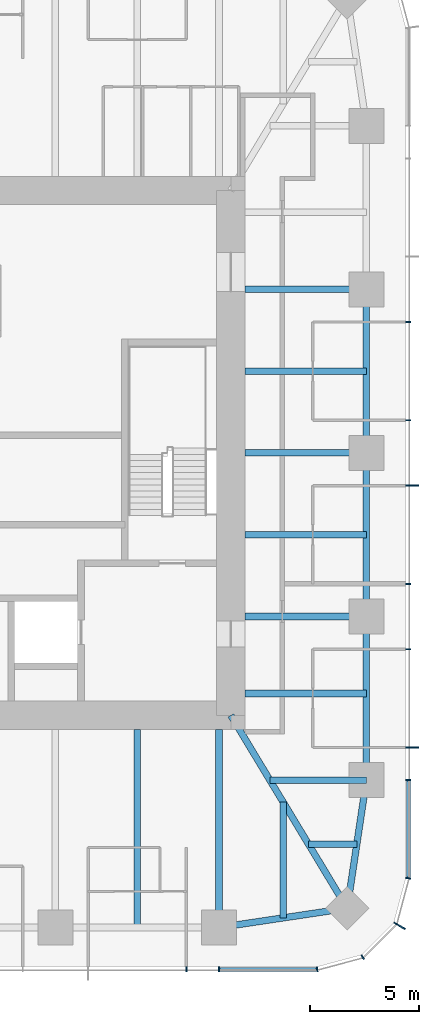
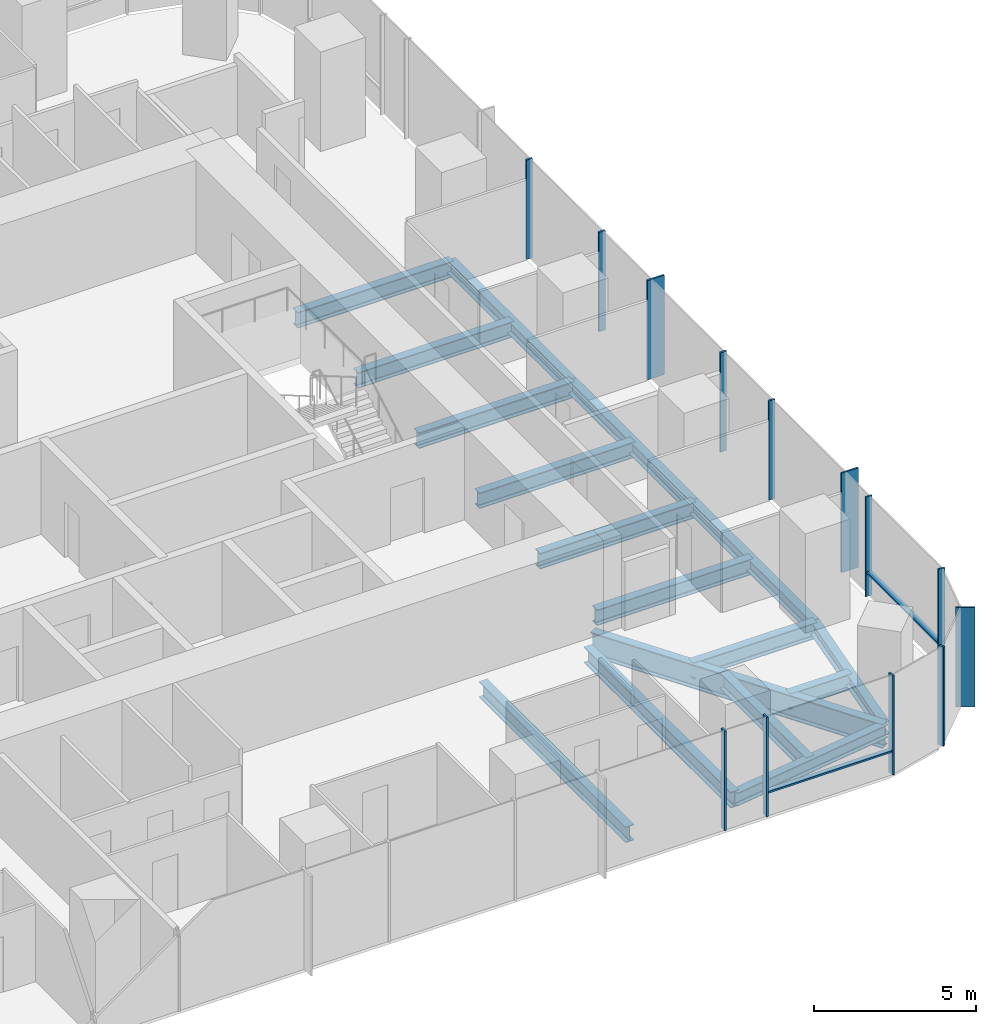
# One storey, part 4 of 12: 17 beams, 15 members, 3 elements without a shape of their own.
"""IFC4 building model written with IfcOpenShell, lengths in metres."""

from ifc_helpers import new_model, si_unit, direction, frame, origin, origin_2d, place, context, subcontext, project, spatial, rectangle, i_section, extrude, material, material_profile, profile_set, type_object, element, aggregate, save


model = new_model("IFC4")

# Units and contexts
model_context = context("Model", 3, precision=1e-05, world=origin(), true_north=direction((0.0, 1.0)))
body_context = subcontext(model_context, "Body", "Model", "MODEL_VIEW")
ifc_project = project(units=[si_unit("LENGTHUNIT", "METRE"), si_unit("AREAUNIT", "SQUARE_METRE"), si_unit("VOLUMEUNIT", "CUBIC_METRE"), si_unit("PLANEANGLEUNIT", "RADIAN"), si_unit("MASSUNIT", "GRAM", prefix="KILO")], contexts=[model_context])

# Site, building, storey
site_placement = place(None, origin())
site = spatial("IfcSite", under=ifc_project, at=site_placement, CompositionType="ELEMENT")
building_placement = place(site_placement, origin())
building = spatial("IfcBuilding", under=site, at=building_placement, Name="Khuree Lantern Residences", CompositionType="ELEMENT")
storey_placement = place(building_placement, frame((0.0, 0.0, 304.5)))
storey = spatial("IfcBuildingStorey", under=building, at=storey_placement, Name="L76", CompositionType="ELEMENT", Elevation=304.5)

# Beams
ifc_material_1 = material(Name="Steel S355", Category="steel")
ifc_material_profile_1 = material_profile(ifc_material_1, i_section(OverallWidth=0.300048828125, OverallDepth=0.590087890625, WebThickness=0.012939453125, FlangeThickness=0.02490234375, FilletRadius=0.027099609375, at=origin_2d()), Name="HE 600 A")
ifc_profile_set_1 = profile_set([ifc_material_profile_1], Name="Steel S355")
beam_type_1 = type_object("IfcBeamType", Name="B-42 SECONDARY BEAM HE 600 A", PredefinedType="BEAM", material=ifc_profile_set_1)
for number, where, z_axis, x_axis, name in (
    (1, (21.699951171875, 3.739990234375, -0.544921875), (-1.0, 0.0, 0.0), (0.0, -1.0, 0.0), "Secondary beam E3"),
    (2, (21.699951171875, -3.739990234375, -0.544921875), (-1.0, 0.0, 0.0), (0.0, -1.0, 0.0), "Secondary beam E4"),
    (3, (21.699951171875, -11.0, -0.544921875), (-1.0, 0.0, 0.0), (0.0, -1.0, 0.0), "Secondary beam E5"),
):
    element("IfcBeam", number, at=place(storey_placement, frame(where, z_axis=z_axis, x_axis=x_axis)), inside=storey, type_object=beam_type_1, Name=name, PredefinedType="BEAM", context=body_context, shape_type="SweptSolid", body=[
        extrude(i_section(OverallWidth=0.300048828125, OverallDepth=0.590087890625, WebThickness=0.012939453125, FlangeThickness=0.02490234375, FilletRadius=0.027099609375, at=origin_2d()), origin(), (0.0, 0.0, 1.0), 5.550048828125),
    ])
beam_1_placement = place(storey_placement, frame((21.2607421875, -17.890625, -0.544921875), z_axis=(-1.0, 0.0, 0.0), x_axis=(0.0, -1.0, 0.0)))
element("IfcBeam", 4, at=beam_1_placement, inside=storey, type_object=beam_type_1, Name="Secondary beam E6", PredefinedType="BEAM", context=body_context, shape_type="SweptSolid", body=[
    extrude(i_section(OverallWidth=0.300048828125, OverallDepth=0.590087890625, WebThickness=0.012939453125, FlangeThickness=0.02490234375, FilletRadius=0.027099609375, at=origin_2d()), origin(), (0.0, 0.0, 1.0), 2.207275390625),
])
beam_2_placement = place(storey_placement, frame((17.890625, -21.2607421875, -0.544921875), z_axis=(0.0, 1.0, 0.0), x_axis=(-1.0, 0.0, 0.0)))
element("IfcBeam", 5, at=beam_2_placement, inside=storey, type_object=beam_type_1, Name="Secondary beam S1", PredefinedType="BEAM", context=body_context, shape_type="SweptSolid", body=[
    extrude(i_section(OverallWidth=0.300048828125, OverallDepth=0.590087890625, WebThickness=0.012939453125, FlangeThickness=0.02490234375, FilletRadius=0.027099609375, at=origin_2d()), origin(), (0.0, 0.0, 1.0), 5.297607421875),
])
beam_3_placement = place(storey_placement, frame((11.219970703125, -21.699951171875, -0.544921875), z_axis=(0.0, 1.0, 0.0), x_axis=(-1.0, 0.0, 0.0)))
element("IfcBeam", 6, at=beam_3_placement, inside=storey, type_object=beam_type_1, Name="Secondary beam S2", PredefinedType="BEAM", context=body_context, shape_type="SweptSolid", body=[
    extrude(i_section(OverallWidth=0.300048828125, OverallDepth=0.590087890625, WebThickness=0.012939453125, FlangeThickness=0.02490234375, FilletRadius=0.027099609375, at=origin_2d()), origin(), (0.0, 0.0, 1.0), 9.050048828125),
])
ifc_material_profile_2 = material_profile(ifc_material_1, i_section(OverallWidth=0.300048828125, OverallDepth=0.489990234375, WebThickness=0.011962890625, FlangeThickness=0.02294921875, FilletRadius=0.027099609375, at=origin_2d()), Name="HE 500 A")
ifc_profile_set_2 = profile_set([ifc_material_profile_2], Name="Steel S355")
beam_type_2 = type_object("IfcBeamType", Name="E-42 SPANDREL BEAM HE 500 A", PredefinedType="SPANDREL", material=ifc_profile_set_2)
for number, where, z_axis, x_axis, name in (
    (7, (21.699951171875, 7.47998046875, -0.4951171875), (0.0, -1.0, 0.0), (1.0, 0.0, 0.0), "Spandrel beam E3"),
    (8, (21.699951171875, 0.0, -0.4951171875), (0.0, -1.0, 0.0), (1.0, 0.0, 0.0), "Spandrel beam E4"),
    (9, (21.699951171875, -7.47998046875, -0.4951171875), (0.0, -1.0, 0.0), (1.0, 0.0, 0.0), "Spandrel beam E5"),
):
    element("IfcBeam", number, at=place(storey_placement, frame(where, z_axis=z_axis, x_axis=x_axis)), inside=storey, type_object=beam_type_2, Name=name, PredefinedType="SPANDREL", context=body_context, shape_type="SweptSolid", body=[
        extrude(i_section(OverallWidth=0.300048828125, OverallDepth=0.489990234375, WebThickness=0.011962890625, FlangeThickness=0.02294921875, FilletRadius=0.027099609375, at=origin_2d()), origin(), (0.0, 0.0, 1.0), 7.47998046875),
    ])
for number, where, z_axis, x_axis, name in (
    (10, (21.699951171875, -14.9599609375, -0.4951171875), (-0.148251822985, -0.988949643299, 0.0), (0.988949643299, -0.148251822985, 0.0), "Spandrel beam E6"),
    (11, (20.8212890625, -20.8212890625, -0.4951171875), (-0.988949643299, -0.148251822985, 0.0), (0.148251822985, -0.988949643299, 0.0), "Spandrel beam S1"),
):
    element("IfcBeam", number, at=place(storey_placement, frame(where, z_axis=z_axis, x_axis=x_axis)), inside=storey, type_object=beam_type_2, Name=name, PredefinedType="SPANDREL", context=body_context, shape_type="SweptSolid", body=[
        extrude(i_section(OverallWidth=0.300048828125, OverallDepth=0.489990234375, WebThickness=0.011962890625, FlangeThickness=0.02294921875, FilletRadius=0.027099609375, at=origin_2d()), origin(), (0.0, 0.0, 1.0), 5.9267578125),
    ])

# Curtain wall, member
ifc_material_2 = material(Name="Bronze anodised aluminium", Category="aluminium")
curtain_wall_type_1 = type_object("IfcCurtainWallType", Name="CW-T2 TOWER CORNER CURTAIN WALL", PredefinedType="USERDEFINED", material=ifc_material_2)
curtain_wall_1_placement = place(storey_placement, origin())
curtain_wall_1 = element("IfcCurtainWall", 12, at=curtain_wall_1_placement, inside=storey, type_object=curtain_wall_type_1, Name="L76 SOUTH-EAST CORNER CURTAIN WALL", ObjectType="Faceted corner curtain wall", PredefinedType="USERDEFINED")
ifc_material_profile_3 = material_profile(ifc_material_2, rectangle(XDim=0.06494140625, YDim=0.60009765625, at=origin_2d()), Name="F1 65X600")
ifc_profile_set_3 = profile_set([ifc_material_profile_3], Name="Bronze anodised aluminium")
member_type_1 = type_object("IfcMemberType", Name="F1 BRONZE FIN MULLION TOWER 65X600", PredefinedType="MULLION", material=ifc_profile_set_3)
member_1_placement = place(storey_placement, frame((23.21728515625, -21.625, 0.0), z_axis=(0.0, 0.0, 1.0), x_axis=(0.49999994149, 0.866025437565, 0.0)))
member_1 = element("IfcMember", 13, at=member_1_placement, type_object=member_type_1, Name="L76 SOUTH-EAST CORNER FIN MULLION 3", PredefinedType="MULLION", context=body_context, shape_type="SweptSolid", body=[
    extrude(rectangle(XDim=0.06494140625, YDim=0.60009765625, at=origin_2d()), origin(), (0.0, 0.0, 1.0), 3.75),
])

# Curtain wall, members
curtain_wall_type_2 = type_object("IfcCurtainWallType", Name="CW-T1 TOWER FACE CURTAIN WALL", PredefinedType="USERDEFINED", material=ifc_material_2)
curtain_wall_2_placement = place(storey_placement, origin())
curtain_wall_2 = element("IfcCurtainWall", 14, at=curtain_wall_2_placement, inside=storey, type_object=curtain_wall_type_2, Name="L76 EAST FACE CURTAIN WALL", ObjectType="Stick-built curtain wall", PredefinedType="USERDEFINED")
member_2_placement = place(storey_placement, frame((23.800048828125, -13.464111328125, 0.0), z_axis=(0.0, 0.0, 1.0), x_axis=(0.0, 1.0, 0.0)))
member_2 = element("IfcMember", 15, at=member_2_placement, type_object=member_type_1, Name="L76 EAST FACE FIN MULLION 6", PredefinedType="MULLION", context=body_context, shape_type="SweptSolid", body=[
    extrude(rectangle(XDim=0.06494140625, YDim=0.60009765625, at=origin_2d()), origin(), (0.0, 0.0, 1.0), 3.75),
])
member_3_placement = place(storey_placement, frame((23.800048828125, -1.49609375, 0.0), z_axis=(0.0, 0.0, 1.0), x_axis=(0.0, 1.0, 0.0)))
member_3 = element("IfcMember", 16, at=member_3_placement, type_object=member_type_1, Name="L76 EAST FACE FIN MULLION 9", PredefinedType="MULLION", context=body_context, shape_type="SweptSolid", body=[
    extrude(rectangle(XDim=0.06494140625, YDim=0.60009765625, at=origin_2d()), origin(), (0.0, 0.0, 1.0), 3.75),
])

# Beams
ifc_material_profile_4 = material_profile(ifc_material_1, i_section(OverallWidth=0.300048828125, OverallDepth=0.60009765625, WebThickness=0.015380859375, FlangeThickness=0.030029296875, FilletRadius=0.027099609375, at=origin_2d()), Name="HE 600 B")
ifc_profile_set_4 = profile_set([ifc_material_profile_4], Name="Steel S355")
beam_type_3 = type_object("IfcBeamType", Name="G-42 GIRDER HE 600 B", PredefinedType="BEAM", material=ifc_profile_set_4)
for number, where, z_axis, x_axis, name in (
    (17, (21.699951171875, 7.47998046875, -0.550048828125), (-1.0, 0.0, 0.0), (0.0, -1.0, 0.0), "Girder E2"),
    (18, (21.699951171875, 0.0, -0.550048828125), (-1.0, 0.0, 0.0), (0.0, -1.0, 0.0), "Girder E3"),
    (19, (21.699951171875, -7.47998046875, -0.550048828125), (-1.0, 0.0, 0.0), (0.0, -1.0, 0.0), "Girder E4"),
):
    element("IfcBeam", number, at=place(storey_placement, frame(where, z_axis=z_axis, x_axis=x_axis)), inside=storey, type_object=beam_type_3, Name=name, PredefinedType="BEAM", context=body_context, shape_type="SweptSolid", body=[
        extrude(i_section(OverallWidth=0.300048828125, OverallDepth=0.60009765625, WebThickness=0.015380859375, FlangeThickness=0.030029296875, FilletRadius=0.027099609375, at=origin_2d()), origin(), (0.0, 0.0, 1.0), 5.550048828125),
    ])
beam_4_placement = place(storey_placement, frame((21.699951171875, -14.9599609375, -0.550048828125), z_axis=(-1.0, 0.0, 0.0), x_axis=(0.0, -1.0, 0.0)))
element("IfcBeam", 20, at=beam_4_placement, inside=storey, type_object=beam_type_3, Name="Girder E5", PredefinedType="BEAM", context=body_context, shape_type="SweptSolid", body=[
    extrude(i_section(OverallWidth=0.300048828125, OverallDepth=0.60009765625, WebThickness=0.015380859375, FlangeThickness=0.030029296875, FilletRadius=0.027099609375, at=origin_2d()), origin(), (0.0, 0.0, 1.0), 4.414306640625),
])
beam_5_placement = place(storey_placement, frame((14.9599609375, -21.699951171875, -0.550048828125), z_axis=(0.0, 1.0, 0.0), x_axis=(-1.0, 0.0, 0.0)))
element("IfcBeam", 21, at=beam_5_placement, inside=storey, type_object=beam_type_3, Name="Girder S1", PredefinedType="BEAM", context=body_context, shape_type="SweptSolid", body=[
    extrude(i_section(OverallWidth=0.300048828125, OverallDepth=0.60009765625, WebThickness=0.015380859375, FlangeThickness=0.030029296875, FilletRadius=0.027099609375, at=origin_2d()), origin(), (0.0, 0.0, 1.0), 9.050048828125),
])
ifc_material_profile_5 = material_profile(ifc_material_1, i_section(OverallWidth=0.300048828125, OverallDepth=0.89990234375, WebThickness=0.0185546875, FlangeThickness=0.034912109375, FilletRadius=0.030029296875, at=origin_2d()), Name="HE 900 B")
ifc_profile_set_5 = profile_set([ifc_material_profile_5], Name="Steel S355")
beam_type_4 = type_object("IfcBeamType", Name="GD-42 CORNER GIRDER HE 900 B", PredefinedType="BEAM", material=ifc_profile_set_5)
beam_6_placement = place(storey_placement, frame((20.8212890625, -20.8212890625, -0.699951171875), z_axis=(-0.516529577604, 0.856269347495, 0.0), x_axis=(-0.856269347495, -0.516529577604, 0.0)))
element("IfcBeam", 22, at=beam_6_placement, inside=storey, type_object=beam_type_4, Name="Corner girder SE", PredefinedType="BEAM", context=body_context, shape_type="SweptSolid", body=[
    extrude(i_section(OverallWidth=0.300048828125, OverallDepth=0.89990234375, WebThickness=0.0185546875, FlangeThickness=0.034912109375, FilletRadius=0.030029296875, at=origin_2d()), origin(), (0.0, 0.0, 1.0), 10.302001953125),
])

# Member
ifc_material_profile_6 = material_profile(ifc_material_2, rectangle(XDim=0.06494140625, YDim=0.219970703125, at=origin_2d()), Name="M1 65X220")
ifc_profile_set_6 = profile_set([ifc_material_profile_6], Name="Bronze anodised aluminium")
member_type_2 = type_object("IfcMemberType", Name="M1 BRONZE MULLION TOWER 65X220", PredefinedType="MULLION", material=ifc_profile_set_6)
member_4_placement = place(storey_placement, frame((19.445068359375, -23.61181640625, 0.0), z_axis=(0.0, 0.0, 1.0), x_axis=(0.991444870192, 0.130526125236, 0.0)))
member_4 = element("IfcMember", 23, at=member_4_placement, type_object=member_type_2, Name="L76 SOUTH-EAST CORNER MULLION 1", PredefinedType="MULLION", context=body_context, shape_type="SweptSolid", body=[
    extrude(rectangle(XDim=0.06494140625, YDim=0.219970703125, at=origin_2d()), origin(), (0.0, 0.0, 1.0), 3.75),
])

member_5_placement = place(storey_placement, frame((21.530029296875, -23.052734375, 0.0), z_axis=(0.0, 0.0, 1.0), x_axis=(0.866025437565, 0.49999994149, 0.0)))
member_5 = element("IfcMember", 24, at=member_5_placement, type_object=member_type_2, Name="L76 SOUTH-EAST CORNER MULLION 2", PredefinedType="MULLION", context=body_context, shape_type="SweptSolid", body=[
    extrude(rectangle(XDim=0.06494140625, YDim=0.219970703125, at=origin_2d()), origin(), (0.0, 0.0, 1.0), 3.75),
])

aggregate(curtain_wall_1, [member_4, member_5, member_1])

member_6_placement = place(storey_placement, frame((23.61181640625, -19.445068359375, 0.0), z_axis=(0.0, 0.0, 1.0), x_axis=(0.130526125236, 0.991444870192, 0.0)))
member_6 = element("IfcMember", 25, at=member_6_placement, type_object=member_type_2, Name="L76 EAST FACE MULLION 4", PredefinedType="MULLION", context=body_context, shape_type="SweptSolid", body=[
    extrude(rectangle(XDim=0.06494140625, YDim=0.219970703125, at=origin_2d()), origin(), (0.0, 0.0, 1.0), 3.75),
])

member_7_placement = place(storey_placement, frame((23.610107421875, -14.9599609375, 0.0), z_axis=(0.0, 0.0, 1.0), x_axis=(0.0, 1.0, 0.0)))
member_7 = element("IfcMember", 26, at=member_7_placement, type_object=member_type_2, Name="L76 EAST FACE MULLION 5", PredefinedType="MULLION", context=body_context, shape_type="SweptSolid", body=[
    extrude(rectangle(XDim=0.06494140625, YDim=0.219970703125, at=origin_2d()), origin(), (0.0, 0.0, 1.0), 3.75),
])

member_8_placement = place(storey_placement, frame((23.610107421875, -8.97607421875, 0.0), z_axis=(0.0, 0.0, 1.0), x_axis=(0.0, 1.0, 0.0)))
member_8 = element("IfcMember", 27, at=member_8_placement, type_object=member_type_2, Name="L76 EAST FACE MULLION 7", PredefinedType="MULLION", context=body_context, shape_type="SweptSolid", body=[
    extrude(rectangle(XDim=0.06494140625, YDim=0.219970703125, at=origin_2d()), origin(), (0.0, 0.0, 1.0), 3.75),
])

member_9_placement = place(storey_placement, frame((23.610107421875, -5.98388671875, 0.0), z_axis=(0.0, 0.0, 1.0), x_axis=(0.0, 1.0, 0.0)))
member_9 = element("IfcMember", 28, at=member_9_placement, type_object=member_type_2, Name="L76 EAST FACE MULLION 8", PredefinedType="MULLION", context=body_context, shape_type="SweptSolid", body=[
    extrude(rectangle(XDim=0.06494140625, YDim=0.219970703125, at=origin_2d()), origin(), (0.0, 0.0, 1.0), 3.75),
])

member_10_placement = place(storey_placement, frame((23.610107421875, 1.49609375, 0.0), z_axis=(0.0, 0.0, 1.0), x_axis=(0.0, 1.0, 0.0)))
member_10 = element("IfcMember", 29, at=member_10_placement, type_object=member_type_2, Name="L76 EAST FACE MULLION 10", PredefinedType="MULLION", context=body_context, shape_type="SweptSolid", body=[
    extrude(rectangle(XDim=0.06494140625, YDim=0.219970703125, at=origin_2d()), origin(), (0.0, 0.0, 1.0), 3.75),
])

member_11_placement = place(storey_placement, frame((23.610107421875, 5.98388671875, 0.0), z_axis=(0.0, 0.0, 1.0), x_axis=(0.0, 1.0, 0.0)))
member_11 = element("IfcMember", 30, at=member_11_placement, type_object=member_type_2, Name="L76 EAST FACE MULLION 11", PredefinedType="MULLION", context=body_context, shape_type="SweptSolid", body=[
    extrude(rectangle(XDim=0.06494140625, YDim=0.219970703125, at=origin_2d()), origin(), (0.0, 0.0, 1.0), 3.75),
])

# Curtain wall, members
curtain_wall_3_placement = place(storey_placement, origin())
curtain_wall_3 = element("IfcCurtainWall", 31, at=curtain_wall_3_placement, inside=storey, type_object=curtain_wall_type_2, Name="L76 SOUTH FACE CURTAIN WALL", ObjectType="Stick-built curtain wall", PredefinedType="USERDEFINED")
member_12_placement = place(storey_placement, frame((13.464111328125, -23.610107421875, 0.0), z_axis=(0.0, 0.0, 1.0), x_axis=(1.0, 0.0, 0.0)))
member_12 = element("IfcMember", 32, at=member_12_placement, type_object=member_type_2, Name="L76 SOUTH FACE MULLION 55", PredefinedType="MULLION", context=body_context, shape_type="SweptSolid", body=[
    extrude(rectangle(XDim=0.06494140625, YDim=0.219970703125, at=origin_2d()), origin(), (0.0, 0.0, 1.0), 3.75),
])
member_13_placement = place(storey_placement, frame((14.9599609375, -23.610107421875, 0.0), z_axis=(0.0, 0.0, 1.0), x_axis=(1.0, 0.0, 0.0)))
member_13 = element("IfcMember", 33, at=member_13_placement, type_object=member_type_2, Name="L76 SOUTH FACE MULLION 56", PredefinedType="MULLION", context=body_context, shape_type="SweptSolid", body=[
    extrude(rectangle(XDim=0.06494140625, YDim=0.219970703125, at=origin_2d()), origin(), (0.0, 0.0, 1.0), 3.75),
])

# Member
ifc_material_profile_7 = material_profile(ifc_material_2, rectangle(XDim=0.179931640625, YDim=0.06494140625, at=origin_2d()), Name="T1 180X65")
ifc_profile_set_7 = profile_set([ifc_material_profile_7], Name="Bronze anodised aluminium")
member_type_3 = type_object("IfcMemberType", Name="TRANSOM T1 TOWER 180X65", PredefinedType="USERDEFINED", material=ifc_profile_set_7)
member_14_placement = place(storey_placement, frame((23.6201171875, -19.4013671875, 0.89990234375), z_axis=(0.0, 1.0, 0.0), x_axis=(-1.0, 0.0, 0.0)))
member_14 = element("IfcMember", 34, at=member_14_placement, type_object=member_type_3, Name="L76 EAST FACE TRANSOM 4.1", ObjectType="Transom", PredefinedType="USERDEFINED", context=body_context, shape_type="SweptSolid", body=[
    extrude(rectangle(XDim=0.179931640625, YDim=0.06494140625, at=origin_2d()), origin(), (0.0, 0.0, 1.0), 4.408935546875),
])

aggregate(curtain_wall_2, [member_6, member_7, member_2, member_8, member_9, member_3, member_10, member_11, member_14])

member_15_placement = place(storey_placement, frame((14.992431640625, -23.6201171875, 0.89990234375), z_axis=(1.0, 0.0, 0.0), x_axis=(0.0, 1.0, 0.0)))
member_15 = element("IfcMember", 35, at=member_15_placement, type_object=member_type_3, Name="L76 SOUTH FACE TRANSOM 56.1", ObjectType="Transom", PredefinedType="USERDEFINED", context=body_context, shape_type="SweptSolid", body=[
    extrude(rectangle(XDim=0.179931640625, YDim=0.06494140625, at=origin_2d()), origin(), (0.0, 0.0, 1.0), 4.408935546875),
])

aggregate(curtain_wall_3, [member_12, member_13, member_15])

save(model, "model.ifc")
